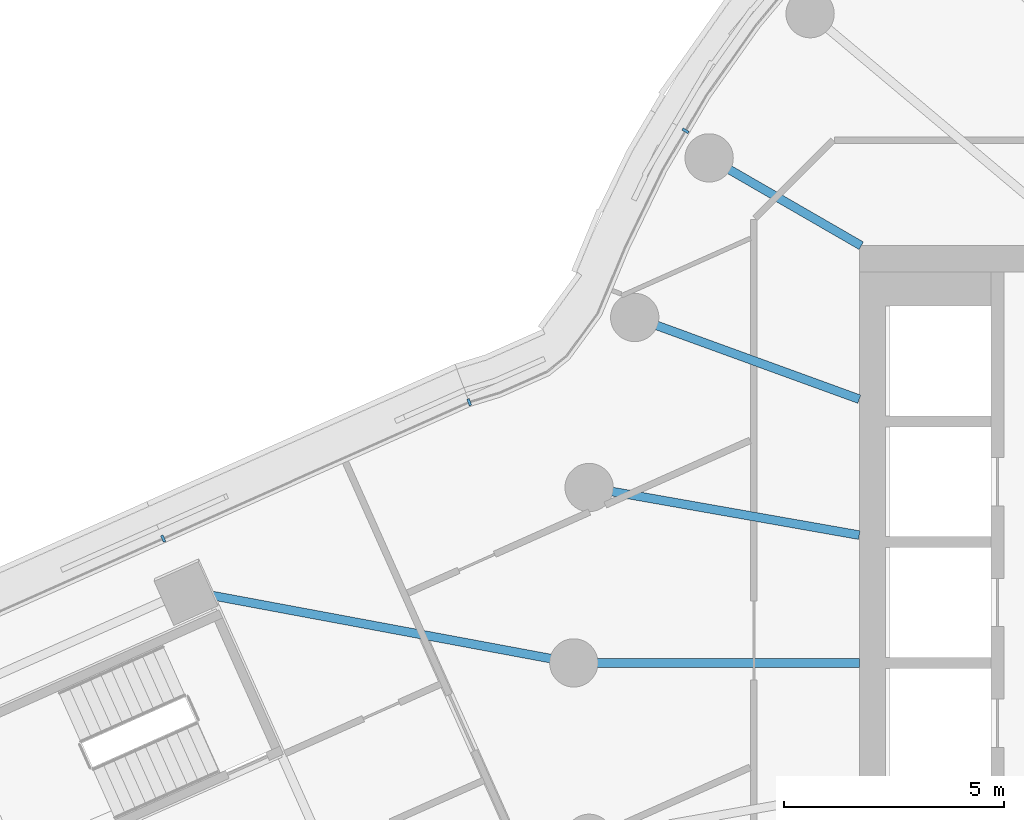
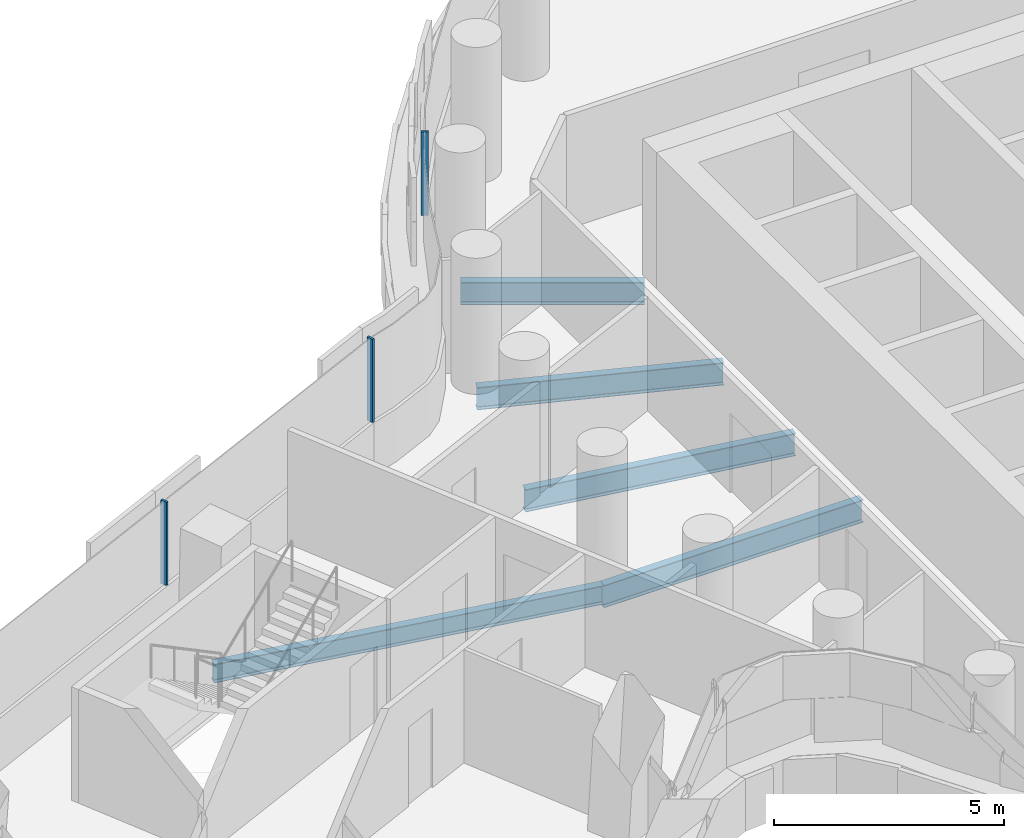
# One storey, part 7 of 35: 5 beams, 3 members, 2 elements without a shape of their own.
"""IFC4 building model written with IfcOpenShell, lengths in metres."""

from ifc_helpers import new_model, si_unit, direction, frame, origin, origin_2d, place, context, subcontext, project, spatial, rectangle, i_section, extrude, material, layer, layer_set, material_profile, profile_set, type_object, element, aggregate, save


model = new_model("IFC4")

# Units and contexts
model_context = context("Model", 3, precision=1e-05, world=origin(), true_north=direction((0.0, 1.0)))
body_context = subcontext(model_context, "Body", "Model", "MODEL_VIEW")
ifc_project = project(units=[si_unit("LENGTHUNIT", "METRE"), si_unit("AREAUNIT", "SQUARE_METRE"), si_unit("VOLUMEUNIT", "CUBIC_METRE"), si_unit("PLANEANGLEUNIT", "RADIAN"), si_unit("MASSUNIT", "GRAM", prefix="KILO")], contexts=[model_context])

# Site, building, storey
site_placement = place(None, origin())
site = spatial("IfcSite", under=ifc_project, at=site_placement, CompositionType="ELEMENT")
building_placement = place(site_placement, origin())
building = spatial("IfcBuilding", under=site, at=building_placement, Name="Tamarind Cross Interchange Tower", CompositionType="ELEMENT")
storey_placement = place(building_placement, frame((0.0, 0.0, 121.0)))
storey = spatial("IfcBuildingStorey", under=building, at=storey_placement, Name="L29", CompositionType="ELEMENT", Elevation=121.0)

# Beams
ifc_material_1 = material(Name="Steel Q355B", Category="steel")
ifc_material_profile_1 = material_profile(ifc_material_1, i_section(OverallWidth=0.198974609375, OverallDepth=0.49609375, WebThickness=0.009033203125, FlangeThickness=0.013916015625, FilletRadius=0.012939453125, at=origin_2d()), Name="HN 496x199x9x14")
ifc_profile_set_1 = profile_set([ifc_material_profile_1], Name="Steel Q355B")
beam_type_1 = type_object("IfcBeamType", Name="Composite beam HN 496x199x9x14 Q355B", PredefinedType="BEAM", material=ifc_profile_set_1)
beam_1_placement = place(storey_placement, frame((-31.8203125, 1.643310546875, -0.387939453125), z_axis=(0.983083475682, -0.183158073373, 0.0), x_axis=(0.183158073373, 0.983083475682, 0.0)))
element("IfcBeam", 1, at=beam_1_placement, inside=storey, type_object=beam_type_1, Name="Beam W-linkem", PredefinedType="BEAM", context=body_context, shape_type="SweptSolid", body=[
    extrude(i_section(OverallWidth=0.198974609375, OverallDepth=0.49609375, WebThickness=0.009033203125, FlangeThickness=0.013916015625, FilletRadius=0.012939453125, at=origin_2d()), origin(), (0.0, 0.0, 1.0), 8.97216796875),
])
ifc_material_profile_2 = material_profile(ifc_material_1, i_section(OverallWidth=0.198974609375, OverallDepth=0.595947265625, WebThickness=0.010009765625, FlangeThickness=0.014892578125, FilletRadius=0.012939453125, at=origin_2d()), Name="HN 596x199x10x15")
ifc_profile_set_2 = profile_set([ifc_material_profile_2], Name="Steel Q355B")
beam_type_2 = type_object("IfcBeamType", Name="Composite beam HN 596x199x10x15 Q355B", PredefinedType="BEAM", material=ifc_profile_set_2)
beam_2_placement = place(storey_placement, frame((-19.918701171875, 11.5, -0.43798828125), z_axis=(0.866026010844, -0.49999894854, 0.0), x_axis=(0.49999894854, 0.866026010844, 0.0)))
element("IfcBeam", 2, at=beam_2_placement, inside=storey, type_object=beam_type_2, Name="Beam HH15", PredefinedType="BEAM", context=body_context, shape_type="SweptSolid", body=[
    extrude(i_section(OverallWidth=0.198974609375, OverallDepth=0.595947265625, WebThickness=0.010009765625, FlangeThickness=0.014892578125, FilletRadius=0.012939453125, at=origin_2d()), origin(), (0.0, 0.0, 1.0), 4.0),
])
beam_3_placement = place(storey_placement, frame((-21.613037109375, 7.866455078125, -0.43798828125), z_axis=(0.939701685589, -0.341995236956, 0.0), x_axis=(0.341995236956, 0.939701685589, 0.0)))
element("IfcBeam", 3, at=beam_3_placement, inside=storey, type_object=beam_type_2, Name="Beam HH16", PredefinedType="BEAM", context=body_context, shape_type="SweptSolid", body=[
    extrude(i_section(OverallWidth=0.198974609375, OverallDepth=0.595947265625, WebThickness=0.010009765625, FlangeThickness=0.014892578125, FilletRadius=0.012939453125, at=origin_2d()), origin(), (0.0, 0.0, 1.0), 5.441162109375),
])
beam_4_placement = place(storey_placement, frame((-22.650634765625, 3.993896484375, -0.43798828125), z_axis=(0.984809127561, -0.173640382036, 0.0), x_axis=(0.173640382036, 0.984809127561, 0.0)))
element("IfcBeam", 4, at=beam_4_placement, inside=storey, type_object=beam_type_2, Name="Beam HH17", PredefinedType="BEAM", context=body_context, shape_type="SweptSolid", body=[
    extrude(i_section(OverallWidth=0.198974609375, OverallDepth=0.595947265625, WebThickness=0.010009765625, FlangeThickness=0.014892578125, FilletRadius=0.012939453125, at=origin_2d()), origin(), (0.0, 0.0, 1.0), 6.24560546875),
])
beam_5_placement = place(storey_placement, frame((-23.0, 0.0, -0.43798828125), z_axis=(1.0, 0.0, 0.0), x_axis=(0.0, 1.0, 0.0)))
element("IfcBeam", 5, at=beam_5_placement, inside=storey, type_object=beam_type_2, Name="Beam HH18", PredefinedType="BEAM", context=body_context, shape_type="SweptSolid", body=[
    extrude(i_section(OverallWidth=0.198974609375, OverallDepth=0.595947265625, WebThickness=0.010009765625, FlangeThickness=0.014892578125, FilletRadius=0.012939453125, at=origin_2d()), origin(), (0.0, 0.0, 1.0), 6.5),
])

# Curtain wall, member
ifc_material_2 = material(Name="Aluminium 6063-T6", Category="aluminium")
ifc_layer = layer(ifc_material_2, 0.159912109375)
ifc_layer_set = layer_set([ifc_layer], Name="Aluminium 6063-T6")
curtain_wall_type = type_object("IfcCurtainWallType", Name="Office curtain wall, 9.0 m bays", PredefinedType="NOTDEFINED", material=ifc_layer_set)
curtain_wall_1_placement = place(storey_placement, origin())
curtain_wall_1 = element("IfcCurtainWall", 6, at=curtain_wall_1_placement, inside=storey, type_object=curtain_wall_type, Name="CWS-L29-14", PredefinedType="NOTDEFINED")
ifc_material_profile_3 = material_profile(ifc_material_2, rectangle(XDim=0.06005859375, YDim=0.159912109375, at=origin_2d()), Name="Mullion CW1")
ifc_profile_set_3 = profile_set([ifc_material_profile_3], Name="Aluminium 6063-T6")
member_type = type_object("IfcMemberType", Name="Mullion CW1", PredefinedType="MULLION", material=ifc_profile_set_3)
member_1_placement = place(storey_placement, frame((-20.456298828125, 12.116943359375, 1.39990234375), z_axis=(0.0, 0.0, 1.0), x_axis=(-0.508183308752, -0.861248933065, 0.0)))
member_1 = element("IfcMember", 7, at=member_1_placement, type_object=member_type, Name="CWM-L29-14-02", PredefinedType="MULLION", context=body_context, shape_type="SweptSolid", body=[
    extrude(rectangle(XDim=0.06005859375, YDim=0.159912109375, at=origin_2d()), origin(), (0.0, 0.0, 1.0), 2.210205078125),
])
aggregate(curtain_wall_1, [member_1])

# Curtain wall, members
curtain_wall_2_placement = place(storey_placement, origin())
curtain_wall_2 = element("IfcCurtainWall", 8, at=curtain_wall_2_placement, inside=storey, type_object=curtain_wall_type, Name="CWS-L29-15", PredefinedType="NOTDEFINED")
member_2_placement = place(storey_placement, frame((-25.38134765625, 5.937744140625, 1.39990234375), z_axis=(0.0, 0.0, 1.0), x_axis=(-0.936175150473, -0.35153390681, 0.0)))
member_2 = element("IfcMember", 9, at=member_2_placement, type_object=member_type, Name="CWM-L29-15-00", PredefinedType="MULLION", context=body_context, shape_type="SweptSolid", body=[
    extrude(rectangle(XDim=0.06005859375, YDim=0.159912109375, at=origin_2d()), origin(), (0.0, 0.0, 1.0), 2.210205078125),
])
member_3_placement = place(storey_placement, frame((-32.349853515625, 2.83056640625, 1.39990234375), z_axis=(0.0, 0.0, 1.0), x_axis=(-0.913329522698, -0.407221294835, 0.0)))
member_3 = element("IfcMember", 10, at=member_3_placement, type_object=member_type, Name="CWM-L29-15-01", PredefinedType="MULLION", context=body_context, shape_type="SweptSolid", body=[
    extrude(rectangle(XDim=0.06005859375, YDim=0.159912109375, at=origin_2d()), origin(), (0.0, 0.0, 1.0), 2.210205078125),
])
aggregate(curtain_wall_2, [member_2, member_3])

save(model, "model.ifc")
